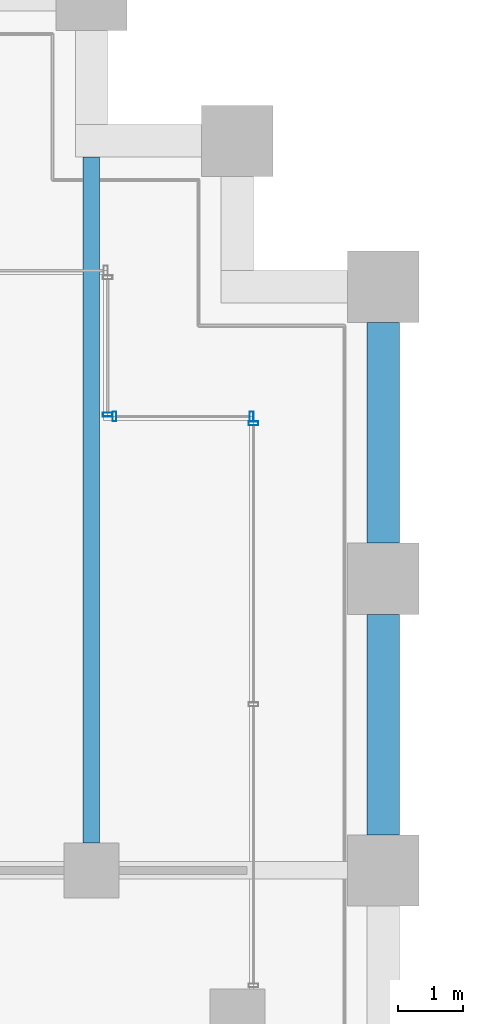
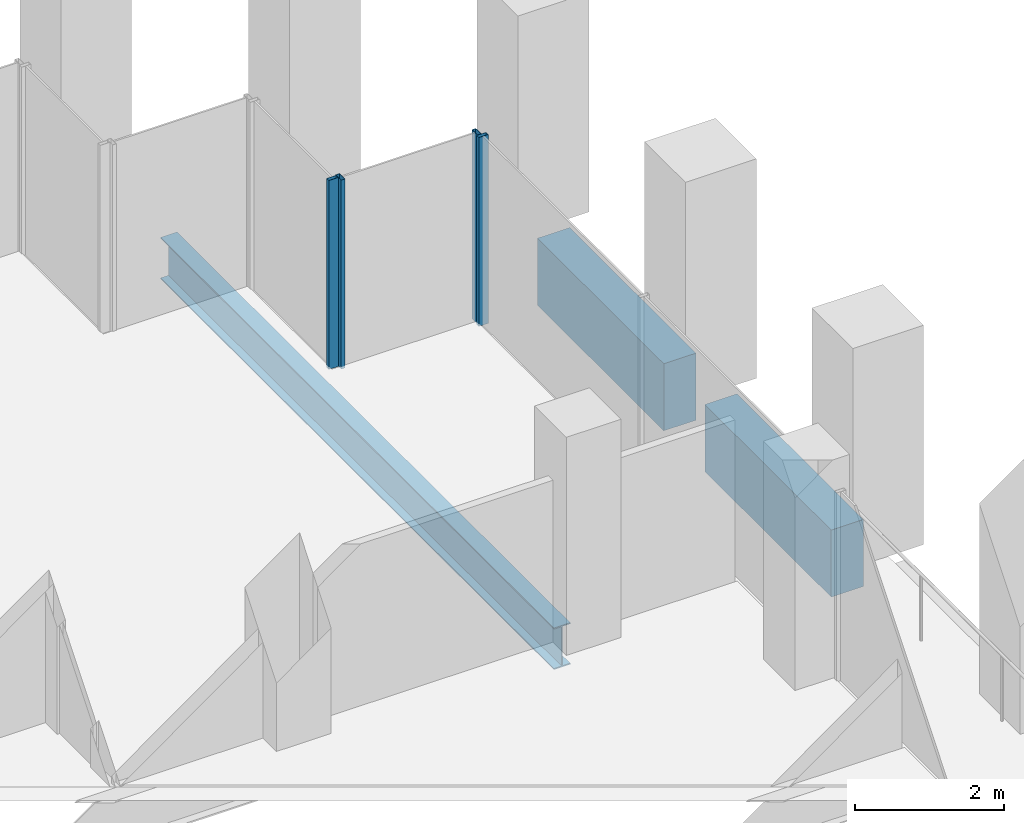
# One storey, part 31 of 56: 4 members, 3 beams, 3 elements without a shape of their own.
"""IFC4 building model written with IfcOpenShell, lengths in metres."""

from ifc_helpers import new_model, si_unit, direction, frame, origin, origin_2d, place, context, subcontext, project, spatial, rectangle, hollow_rectangle, i_section, extrude, material, material_profile, profile_set, type_object, element, aggregate, save


model = new_model("IFC4")

# Units and contexts
model_context = context("Model", 3, precision=1e-05, world=origin(), true_north=direction((0.0, 1.0)))
body_context = subcontext(model_context, "Body", "Model", "MODEL_VIEW")
ifc_project = project(units=[si_unit("LENGTHUNIT", "METRE"), si_unit("AREAUNIT", "SQUARE_METRE"), si_unit("VOLUMEUNIT", "CUBIC_METRE"), si_unit("PLANEANGLEUNIT", "RADIAN"), si_unit("MASSUNIT", "GRAM", prefix="KILO")], contexts=[model_context])

# Site, building, storey
site_placement = place(None, origin())
site = spatial("IfcSite", under=ifc_project, at=site_placement, CompositionType="ELEMENT")
building_placement = place(site_placement, origin())
building = spatial("IfcBuilding", under=site, at=building_placement, Name="Altepetl Exchange Towers", CompositionType="ELEMENT")
storey_placement = place(building_placement, frame((0.0, 0.0, 72.60009765625)))
storey = spatial("IfcBuildingStorey", under=building, at=storey_placement, Name="L17", CompositionType="ELEMENT", Elevation=72.60009765625)

# Beam
ifc_material_1 = material(Name="Steel S355", Category="steel")
ifc_material_profile_1 = material_profile(ifc_material_1, i_section(OverallWidth=0.25390625, OverallDepth=0.68408203125, WebThickness=0.012451171875, FlangeThickness=0.018798828125, at=origin_2d()), Name="W27X94")
ifc_profile_set_1 = profile_set([ifc_material_profile_1], Name="Steel S355")
beam_type_1 = type_object("IfcBeamType", Name="Floor beam W27X94", PredefinedType="BEAM", material=ifc_profile_set_1)
beam_placement = place(storey_placement, frame((67.5, 58.925048828125, -0.4921875), z_axis=(0.0, 1.0, 0.0), x_axis=(-1.0, 0.0, 0.0)))
element("IfcBeam", 1, at=beam_placement, inside=storey, type_object=beam_type_1, Name="bm:A:L17:005", PredefinedType="BEAM", context=body_context, shape_type="SweptSolid", body=[
    extrude(i_section(OverallWidth=0.25390625, OverallDepth=0.68408203125, WebThickness=0.012451171875, FlangeThickness=0.018798828125, at=origin_2d()), origin(), (0.0, 0.0, 1.0), 10.574951171875),
])

# Curtain wall, member
ifc_material_2 = material(Name="Aluminium 6063-T6 glazing", Category="aluminium")
curtain_wall_type = type_object("IfcCurtainWallType", Name="Loggia glazing system", PredefinedType="NOTDEFINED", material=ifc_material_2)
curtain_wall_1_placement = place(storey_placement, origin())
curtain_wall_1 = element("IfcCurtainWall", 2, at=curtain_wall_1_placement, inside=storey, type_object=curtain_wall_type, Name="CW1 run", PredefinedType="NOTDEFINED")
ifc_material_3 = material(Name="Aluminium 6063-T6", Category="aluminium")
ifc_material_profile_2 = material_profile(ifc_material_3, hollow_rectangle(XDim=0.06005859375, YDim=0.14990234375, WallThickness=0.0029296875, at=origin_2d()), Name="Mullion 60x150 aluminium")
ifc_profile_set_2 = profile_set([ifc_material_profile_2], Name="Aluminium 6063-T6")
member_type = type_object("IfcMemberType", Name="Mullion 60x150 aluminium", PredefinedType="MULLION", material=ifc_profile_set_2)
member_1_placement = place(storey_placement, frame((70.0, 65.39501953125, 0.0), z_axis=(0.0, 0.0, 1.0), x_axis=(0.0, 1.0, 0.0)))
member_1 = element("IfcMember", 3, at=member_1_placement, type_object=member_type, Name="MU1 mullion", PredefinedType="MULLION", context=body_context, shape_type="SweptSolid", body=[
    extrude(hollow_rectangle(XDim=0.06005859375, YDim=0.14990234375, WallThickness=0.0029296875, at=origin_2d()), origin(), (0.0, 0.0, 1.0), 3.099853515625),
])
aggregate(curtain_wall_1, [member_1])

# Curtain wall, members
curtain_wall_2_placement = place(storey_placement, origin())
curtain_wall_2 = element("IfcCurtainWall", 4, at=curtain_wall_2_placement, inside=storey, type_object=curtain_wall_type, Name="CW1 run", PredefinedType="NOTDEFINED")
member_2_placement = place(storey_placement, frame((69.969970703125, 65.5, 0.0), z_axis=(0.0, 0.0, 1.0), x_axis=(-1.0, 0.0, 0.0)))
member_2 = element("IfcMember", 5, at=member_2_placement, type_object=member_type, Name="MU1 mullion", PredefinedType="MULLION", context=body_context, shape_type="SweptSolid", body=[
    extrude(hollow_rectangle(XDim=0.06005859375, YDim=0.14990234375, WallThickness=0.0029296875, at=origin_2d()), origin(), (0.0, 0.0, 1.0), 3.099853515625),
])
member_3_placement = place(storey_placement, frame((67.85498046875, 65.5, 0.0), z_axis=(0.0, 0.0, 1.0), x_axis=(-1.0, 0.0, 0.0)))
member_3 = element("IfcMember", 6, at=member_3_placement, type_object=member_type, Name="MU1 mullion", PredefinedType="MULLION", context=body_context, shape_type="SweptSolid", body=[
    extrude(hollow_rectangle(XDim=0.06005859375, YDim=0.14990234375, WallThickness=0.0029296875, at=origin_2d()), origin(), (0.0, 0.0, 1.0), 3.099853515625),
])
aggregate(curtain_wall_2, [member_2, member_3])

# Curtain wall, member
curtain_wall_3_placement = place(storey_placement, origin())
curtain_wall_3 = element("IfcCurtainWall", 7, at=curtain_wall_3_placement, inside=storey, type_object=curtain_wall_type, Name="CW1 run", PredefinedType="NOTDEFINED")
member_4_placement = place(storey_placement, frame((67.75, 65.530029296875, 0.0), z_axis=(0.0, 0.0, 1.0), x_axis=(0.0, 1.0, 0.0)))
member_4 = element("IfcMember", 8, at=member_4_placement, type_object=member_type, Name="MU1 mullion", PredefinedType="MULLION", context=body_context, shape_type="SweptSolid", body=[
    extrude(hollow_rectangle(XDim=0.06005859375, YDim=0.14990234375, WallThickness=0.0029296875, at=origin_2d()), origin(), (0.0, 0.0, 1.0), 3.099853515625),
])
aggregate(curtain_wall_3, [member_4])

# Beams
ifc_material_4 = material(Name="Concrete C50/60 precast with cantera rosa facing", Category="concrete")
ifc_material_profile_3 = material_profile(ifc_material_4, rectangle(XDim=0.5, YDim=1.10009765625, at=origin_2d()), Name="500 x 1100")
ifc_profile_set_3 = profile_set([ifc_material_profile_3], Name="Concrete C50/60 precast with cantera rosa facing")
beam_type_2 = type_object("IfcBeamType", Name="Spandrel beam 500x1100 cantera rosa", PredefinedType="SPANDREL", material=ifc_profile_set_3)
for number, where, z_axis, x_axis, name in (
    (9, (72.0, 59.050048828125, -0.7001953125), (0.0, 1.0, 0.0), (-1.0, 0.0, 0.0), "sp:A:L17:018"),
    (10, (72.0, 63.550048828125, -0.7001953125), (0.0, 1.0, 0.0), (-1.0, 0.0, 0.0), "sp:A:L17:019"),
):
    element("IfcBeam", number, at=place(storey_placement, frame(where, z_axis=z_axis, x_axis=x_axis)), inside=storey, type_object=beam_type_2, Name=name, PredefinedType="SPANDREL", context=body_context, shape_type="SweptSolid", body=[
        extrude(rectangle(XDim=0.5, YDim=1.10009765625, at=origin_2d()), origin(), (0.0, 0.0, 1.0), 3.39990234375),
    ])

save(model, "model.ifc")
